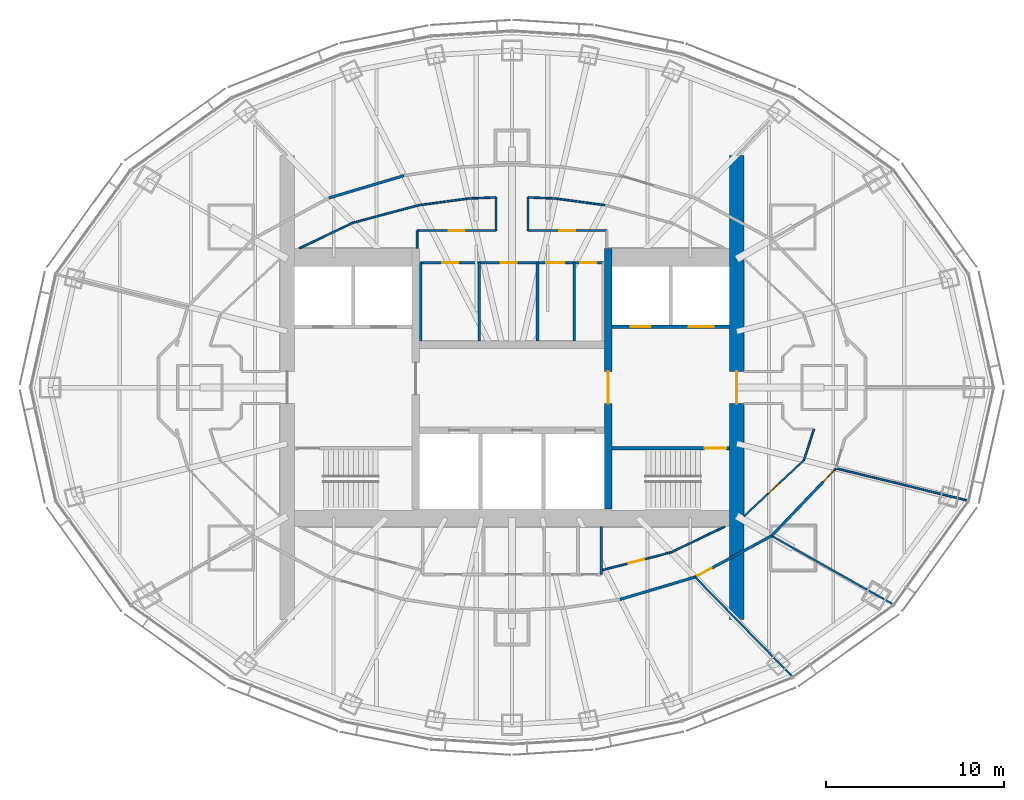
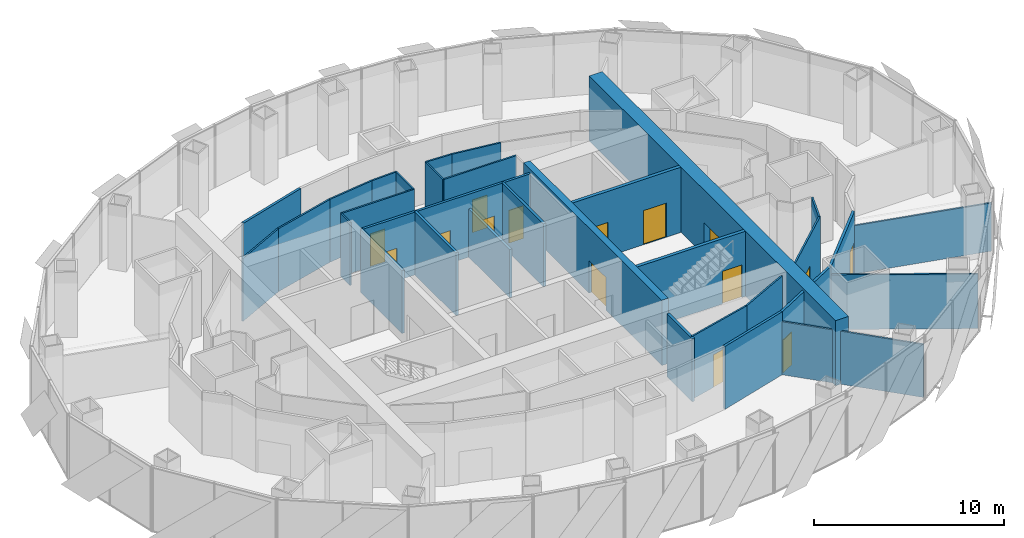
# One storey, part 13 of 17: 32 walls, 15 doors, 15 openings.
"""IFC4 building model written with IfcOpenShell, lengths in metres."""

from ifc_helpers import new_model, si_unit, direction, frame, frame_2d, origin, place, context, subcontext, project, spatial, rectangle, extrude, material, layer, layer_set, type_object, element, fill, save


model = new_model("IFC4")

# Units and contexts
model_context = context("Model", 3, precision=1e-05, world=origin(), true_north=direction((0.0, 1.0)))
body_context = subcontext(model_context, "Body", "Model", "MODEL_VIEW")
ifc_project = project(units=[si_unit("LENGTHUNIT", "METRE"), si_unit("AREAUNIT", "SQUARE_METRE"), si_unit("VOLUMEUNIT", "CUBIC_METRE"), si_unit("PLANEANGLEUNIT", "RADIAN"), si_unit("MASSUNIT", "GRAM", prefix="KILO")], contexts=[model_context])

# Site, building, storey
site_placement = place(None, origin())
site = spatial("IfcSite", under=ifc_project, at=site_placement, CompositionType="ELEMENT")
building_placement = place(site_placement, origin())
building = spatial("IfcBuilding", under=site, at=building_placement, Name="Lantaw Convention Tower", CompositionType="ELEMENT")
storey_placement = place(building_placement, frame((0.0, 0.0, 207.39990234375)))
storey = spatial("IfcBuildingStorey", under=building, at=storey_placement, Name="L48", CompositionType="ELEMENT", Elevation=207.39990234375)

# Wall, opening, door
ifc_material_1 = material(Name="Concrete C60/75", Category="concrete")
ifc_layer_1 = layer(ifc_material_1, 0.199951171875)
ifc_layer_set_1 = layer_set([ifc_layer_1], Name="Core wall 200")
wall_type_1 = type_object("IfcWallType", Name="Core wall 200", PredefinedType="SHEAR", material=ifc_layer_set_1)
wall_1_placement = place(storey_placement, frame((5.60009765625, -3.39990234375, 0.0), z_axis=(0.0, 0.0, 1.0), x_axis=(1.0, 0.0, 0.0)))
wall_1 = element("IfcWall", 1, at=wall_1_placement, inside=storey, type_object=wall_type_1, Name="Core wall ES", PredefinedType="SHEAR", context=body_context, shape_type="SweptSolid", body=[
    extrude(rectangle(XDim=6.599853515625, YDim=0.199951171875, at=frame_2d((3.2998046875, 0.0))), origin(), (0.0, 0.0, 1.0), 4.2001953125),
])
opening_1_placement = place(wall_1_placement, frame((5.199951171875, 0.0, 0.0)))
opening_1 = element("IfcOpeningElement", 2, at=opening_1_placement, cuts=wall_1, Name="Opening L48.03", PredefinedType="OPENING", context=body_context, shape_type="SweptSolid", body=[
    extrude(rectangle(XDim=1.199951171875, YDim=2.10009765625, at=frame_2d((0.60009765625, 1.050048828125))), frame((0.0, 0.10986328125, 0.0), z_axis=(0.0, -1.0, 0.0), x_axis=(1.0, 0.0, 0.0)), (0.0, 0.0, 1.0), 0.219970703125),
])
ifc_material_2 = material(Name="Steel, fire rated", Category="steel")
door_type_1 = type_object("IfcDoorType", Name="Stair door FD90", OperationType="SINGLE_SWING_RIGHT", PredefinedType="DOOR", material=ifc_material_2)
door_1_placement = place(opening_1_placement, origin())
door_1 = element("IfcDoor", 3, at=door_1_placement, inside=storey, type_object=door_type_1, Name="Exit stair door", OperationType="SINGLE_SWING_RIGHT", OverallHeight=2.10009765625, OverallWidth=1.199951171875, PredefinedType="DOOR", context=body_context, shape_type="SweptSolid", body=[
    extrude(rectangle(XDim=1.199951171875, YDim=2.10009765625, at=frame_2d((0.60009765625, 1.050048828125))), frame((0.0, 0.02490234375, 0.0), z_axis=(0.0, -1.0, 0.0), x_axis=(1.0, 0.0, 0.0)), (0.0, 0.0, 1.0), 0.050048828125),
])
fill(opening_1, door_1)

ifc_layer_2 = layer(ifc_material_1, 0.39990234375)
ifc_layer_set_2 = layer_set([ifc_layer_2], Name="Core wall 400")
wall_type_2 = type_object("IfcWallType", Name="Core wall 400", PredefinedType="SHEAR", material=ifc_layer_set_2)
wall_2_placement = place(storey_placement, frame((5.39990234375, -6.800048828125, 0.0), z_axis=(0.0, 0.0, 1.0), x_axis=(0.0, 1.0, 0.0)))
wall_2 = element("IfcWall", 4, at=wall_2_placement, inside=storey, type_object=wall_type_2, Name="Core wall XE", PredefinedType="SHEAR", context=body_context, shape_type="SweptSolid", body=[
    extrude(rectangle(XDim=14.60009765625, YDim=0.39990234375, at=frame_2d((7.300048828125, 0.0))), origin(), (0.0, 0.0, 1.0), 4.2001953125),
])
opening_2_placement = place(wall_2_placement, frame((5.89990234375, 0.0, 0.0)))
opening_2 = element("IfcOpeningElement", 5, at=opening_2_placement, cuts=wall_2, Name="Opening L48.01", PredefinedType="OPENING", context=body_context, shape_type="SweptSolid", body=[
    extrude(rectangle(XDim=1.800048828125, YDim=2.10009765625, at=frame_2d((0.89990234375, 1.050048828125))), frame((0.0, 0.2099609375, 0.0), z_axis=(0.0, -1.0, 0.0), x_axis=(1.0, 0.0, 0.0)), (0.0, 0.0, 1.0), 0.419921875),
])
door_type_2 = type_object("IfcDoorType", Name="Lobby double door FD90", OperationType="DOUBLE_DOOR_DOUBLE_SWING", PredefinedType="DOOR", material=ifc_material_2)
door_2_placement = place(opening_2_placement, origin())
door_2 = element("IfcDoor", 6, at=door_2_placement, inside=storey, type_object=door_type_2, Name="Lift lobby door", OperationType="DOUBLE_DOOR_DOUBLE_SWING", OverallHeight=2.10009765625, OverallWidth=1.800048828125, PredefinedType="DOOR", context=body_context, shape_type="SweptSolid", body=[
    extrude(rectangle(XDim=1.800048828125, YDim=2.10009765625, at=frame_2d((0.89990234375, 1.050048828125))), frame((0.0, 0.02490234375, 0.0), z_axis=(0.0, -1.0, 0.0), x_axis=(1.0, 0.0, 0.0)), (0.0, 0.0, 1.0), 0.050048828125),
])
fill(opening_2, door_2)

ifc_layer_3 = layer(ifc_material_1, 0.800048828125)
ifc_layer_set_3 = layer_set([ifc_layer_3], Name="Core wall 800")
wall_type_3 = type_object("IfcWallType", Name="Core wall 800", PredefinedType="SHEAR", material=ifc_layer_set_3)
wall_3_placement = place(storey_placement, frame((12.60009765625, -13.0, 0.0), z_axis=(0.0, 0.0, 1.0), x_axis=(0.0, 1.0, 0.0)))
wall_3 = element("IfcWall", 7, at=wall_3_placement, inside=storey, type_object=wall_type_3, Name="Core wall E", PredefinedType="SHEAR", context=body_context, shape_type="SweptSolid", body=[
    extrude(rectangle(XDim=26.0, YDim=0.800048828125, at=frame_2d((13.0, 0.0))), origin(), (0.0, 0.0, 1.0), 4.2001953125),
])
opening_3_placement = place(wall_3_placement, frame((12.10009765625, 0.0, 0.0)))
opening_3 = element("IfcOpeningElement", 8, at=opening_3_placement, cuts=wall_3, Name="Opening L48.05", PredefinedType="OPENING", context=body_context, shape_type="SweptSolid", body=[
    extrude(rectangle(XDim=1.800048828125, YDim=2.10009765625, at=frame_2d((0.89990234375, 1.050048828125))), frame((0.0, 0.409912109375, 0.0), z_axis=(0.0, -1.0, 0.0), x_axis=(1.0, 0.0, 0.0)), (0.0, 0.0, 1.0), 0.820068359375),
])
door_3_placement = place(opening_3_placement, origin())
door_3 = element("IfcDoor", 9, at=door_3_placement, inside=storey, type_object=door_type_2, Name="Firefighting lobby door", OperationType="DOUBLE_DOOR_DOUBLE_SWING", OverallHeight=2.10009765625, OverallWidth=1.800048828125, PredefinedType="DOOR", context=body_context, shape_type="SweptSolid", body=[
    extrude(rectangle(XDim=1.800048828125, YDim=2.10009765625, at=frame_2d((0.89990234375, 1.050048828125))), frame((0.0, 0.02490234375, 0.0), z_axis=(0.0, -1.0, 0.0), x_axis=(1.0, 0.0, 0.0)), (0.0, 0.0, 1.0), 0.050048828125),
])
fill(opening_3, door_3)

# Walls
ifc_material_3 = material(Name="Gypsum board on steel studs, fire rated", Category="steel")
ifc_layer_4 = layer(ifc_material_3, 0.14990234375)
ifc_layer_set_4 = layer_set([ifc_layer_4], Name="Corridor wall 150 EI 60")
wall_type_4 = type_object("IfcWallType", Name="Corridor wall 150 EI 60", PredefinedType="PARTITIONING", material=ifc_layer_set_4)
for number, where, z_axis, x_axis, name in (
    (10, (-6.05419921875, 11.88232421875, 0.0), (0.0, 0.0, 1.0), (-0.958384389306, -0.285480931648, 0.0), "Corridor wall 150"),
    (11, (6.05419921875, -11.88232421875, 0.0), (0.0, 0.0, 1.0), (0.958384389306, 0.285480931648, 0.0), "Corridor wall 150"),
):
    element("IfcWall", number, at=place(storey_placement, frame(where, z_axis=z_axis, x_axis=x_axis)), inside=storey, type_object=wall_type_4, Name=name, PredefinedType="PARTITIONING", context=body_context, shape_type="SweptSolid", body=[
        extrude(rectangle(XDim=4.392333984375, YDim=0.14990234375, at=frame_2d((2.1962890625, 0.0))), origin(), (0.0, 0.0, 1.0), 4.050048828125),
    ])

# Wall, opening, door
wall_4_placement = place(storey_placement, frame((10.263671875, -10.62841796875, 0.0), z_axis=(0.0, 0.0, 1.0), x_axis=(0.88053863253, 0.47397438393, 0.0)))
wall_4 = element("IfcWall", 12, at=wall_4_placement, inside=storey, type_object=wall_type_4, Name="Corridor wall 150", PredefinedType="PARTITIONING", context=body_context, shape_type="SweptSolid", body=[
    extrude(rectangle(XDim=4.874755859375, YDim=0.14990234375, at=frame_2d((2.4375, 0.0))), origin(), (0.0, 0.0, 1.0), 4.050048828125),
])
opening_4_placement = place(wall_4_placement, frame((0.14990234375, 0.0, 0.0)))
opening_4 = element("IfcOpeningElement", 13, at=opening_4_placement, cuts=wall_4, Name="Opening L48.34", PredefinedType="OPENING", context=body_context, shape_type="SweptSolid", body=[
    extrude(rectangle(XDim=0.89990234375, YDim=2.10009765625, at=frame_2d((0.449951171875, 1.050048828125))), frame((0.0, 0.0849609375, 0.0), z_axis=(0.0, -1.0, 0.0), x_axis=(1.0, 0.0, 0.0)), (0.0, 0.0, 1.0), 0.169921875),
])
door_type_3 = type_object("IfcDoorType", Name="Office door 900 FD30", OperationType="SINGLE_SWING_LEFT", PredefinedType="DOOR", material=ifc_material_2)
door_4_placement = place(opening_4_placement, origin())
door_4 = element("IfcDoor", 14, at=door_4_placement, inside=storey, type_object=door_type_3, Name="Pantry door", OperationType="SINGLE_SWING_LEFT", OverallHeight=2.10009765625, OverallWidth=0.89990234375, PredefinedType="DOOR", context=body_context, shape_type="SweptSolid", body=[
    extrude(rectangle(XDim=0.89990234375, YDim=2.10009765625, at=frame_2d((0.449951171875, 1.050048828125))), frame((0.0, 0.02490234375, 0.0), z_axis=(0.0, -1.0, 0.0), x_axis=(1.0, 0.0, 0.0)), (0.0, 0.0, 1.0), 0.050048828125),
])
fill(opening_4, door_4)

wall_5_placement = place(storey_placement, frame((14.55615234375, -8.31787109375, 0.0), z_axis=(0.0, 0.0, 1.0), x_axis=(0.690768413292, 0.723076067366, 0.0)))
wall_5 = element("IfcWall", 15, at=wall_5_placement, inside=storey, type_object=wall_type_4, Name="Corridor wall 150", PredefinedType="PARTITIONING", context=body_context, shape_type="SweptSolid", body=[
    extrude(rectangle(XDim=5.23681640625, YDim=0.14990234375, at=frame_2d((2.618408203125, 0.0))), origin(), (0.0, 0.0, 1.0), 4.050048828125),
])
opening_5_placement = place(wall_5_placement, frame((4.18701171875, 0.0, 0.0)))
opening_5 = element("IfcOpeningElement", 16, at=opening_5_placement, cuts=wall_5, Name="Opening L48.35", PredefinedType="OPENING", context=body_context, shape_type="SweptSolid", body=[
    extrude(rectangle(XDim=0.89990234375, YDim=2.10009765625, at=frame_2d((0.449951171875, 1.050048828125))), frame((0.0, 0.0849609375, 0.0), z_axis=(0.0, -1.0, 0.0), x_axis=(1.0, 0.0, 0.0)), (0.0, 0.0, 1.0), 0.169921875),
])
door_5_placement = place(opening_5_placement, origin())
door_5 = element("IfcDoor", 17, at=door_5_placement, inside=storey, type_object=door_type_3, Name="Meeting room door", OperationType="SINGLE_SWING_LEFT", OverallHeight=2.10009765625, OverallWidth=0.89990234375, PredefinedType="DOOR", context=body_context, shape_type="SweptSolid", body=[
    extrude(rectangle(XDim=0.89990234375, YDim=2.10009765625, at=frame_2d((0.449951171875, 1.050048828125))), frame((0.0, 0.02490234375, 0.0), z_axis=(0.0, -1.0, 0.0), x_axis=(1.0, 0.0, 0.0)), (0.0, 0.0, 1.0), 0.050048828125),
])
fill(opening_5, door_5)

# Walls
ifc_material_4 = material(Name="Gypsum board on steel studs, acoustic", Category="steel")
ifc_layer_5 = layer(ifc_material_4, 0.10009765625)
ifc_layer_set_5 = layer_set([ifc_layer_5], Name="Office partition 100")
wall_type_5 = type_object("IfcWallType", Name="Office partition 100", PredefinedType="PARTITIONING", material=ifc_layer_set_5)
wall_6_placement = place(storey_placement, frame((15.709228515625, -16.19873046875, 0.0), z_axis=(0.0, 0.0, 1.0), x_axis=(-0.699053895446, 0.715068983569, 0.0)))
element("IfcWall", 18, at=wall_6_placement, inside=storey, type_object=wall_type_5, Name="Office partition 100", PredefinedType="PARTITIONING", context=body_context, shape_type="SweptSolid", body=[
    extrude(rectangle(XDim=7.789794921875, YDim=0.10009765625, at=frame_2d((3.89501953125, 0.0))), origin(), (0.0, 0.0, 1.0), 3.409912109375),
])
wall_7_placement = place(storey_placement, frame((21.3583984375, -12.149658203125, 0.0), z_axis=(0.0, 0.0, 1.0), x_axis=(-0.871273053995, 0.490798599614, 0.0)))
element("IfcWall", 19, at=wall_7_placement, inside=storey, type_object=wall_type_5, Name="Office partition 100", PredefinedType="PARTITIONING", context=body_context, shape_type="SweptSolid", body=[
    extrude(rectangle(XDim=7.80712890625, YDim=0.10009765625, at=frame_2d((3.903564453125, 0.0))), origin(), (0.0, 0.0, 1.0), 3.521728515625),
])
wall_8_placement = place(storey_placement, frame((25.542724609375, -6.335693359375, 0.0), z_axis=(0.0, 0.0, 1.0), x_axis=(-0.97130474594, 0.237838370569, 0.0)))
element("IfcWall", 20, at=wall_8_placement, inside=storey, type_object=wall_type_5, Name="Office partition 100", PredefinedType="PARTITIONING", context=body_context, shape_type="SweptSolid", body=[
    extrude(rectangle(XDim=7.5869140625, YDim=0.10009765625, at=frame_2d((3.79345703125, 0.0))), origin(), (0.0, 0.0, 1.0), 3.107666015625),
])
wall_9_placement = place(storey_placement, frame((11.925537109375, -7.800048828125, 0.0), z_axis=(0.0, 0.0, 1.0), x_axis=(-0.901553947207, -0.432666708073, 0.0)))
element("IfcWall", 21, at=wall_9_placement, inside=storey, type_object=wall_type_5, Name="Office partition 100", PredefinedType="PARTITIONING", context=body_context, shape_type="SweptSolid", body=[
    extrude(rectangle(XDim=3.329833984375, YDim=0.10009765625, at=frame_2d((1.6650390625, 0.0))), origin(), (0.0, 0.0, 1.0), 4.050048828125),
])

# Wall, opening, door
wall_10_placement = place(storey_placement, frame((8.923583984375, -9.24072265625, 0.0), z_axis=(0.0, 0.0, 1.0), x_axis=(-0.968224167198, -0.250083910027, 0.0)))
wall_10 = element("IfcWall", 22, at=wall_10_placement, inside=storey, type_object=wall_type_5, Name="Office partition 100", PredefinedType="PARTITIONING", context=body_context, shape_type="SweptSolid", body=[
    extrude(rectangle(XDim=4.05224609375, YDim=0.10009765625, at=frame_2d((2.026123046875, 0.0))), origin(), (0.0, 0.0, 1.0), 4.050048828125),
])
opening_6_placement = place(wall_10_placement, frame((1.576171875, 0.0, 0.0)))
opening_6 = element("IfcOpeningElement", 23, at=opening_6_placement, cuts=wall_10, Name="Opening L48.24", PredefinedType="OPENING", context=body_context, shape_type="SweptSolid", body=[
    extrude(rectangle(XDim=0.89990234375, YDim=2.10009765625, at=frame_2d((0.449951171875, 1.050048828125))), frame((0.0, 0.06005859375, 0.0), z_axis=(0.0, -1.0, 0.0), x_axis=(1.0, 0.0, 0.0)), (0.0, 0.0, 1.0), 0.1201171875),
])
ifc_material_5 = material(Name="Timber", Category="wood")
door_type_4 = type_object("IfcDoorType", Name="Office door 900", OperationType="SINGLE_SWING_LEFT", PredefinedType="DOOR", material=ifc_material_5)
door_6_placement = place(opening_6_placement, origin())
door_6 = element("IfcDoor", 24, at=door_6_placement, inside=storey, type_object=door_type_4, Name="Tenant storage room door", OperationType="SINGLE_SWING_LEFT", OverallHeight=2.10009765625, OverallWidth=0.89990234375, PredefinedType="DOOR", context=body_context, shape_type="SweptSolid", body=[
    extrude(rectangle(XDim=0.89990234375, YDim=2.10009765625, at=frame_2d((0.449951171875, 1.050048828125))), frame((0.0, 0.02490234375, 0.0), z_axis=(0.0, -1.0, 0.0), x_axis=(1.0, 0.0, 0.0)), (0.0, 0.0, 1.0), 0.050048828125),
])
fill(opening_6, door_6)

wall_11_placement = place(storey_placement, frame((16.36279296875, -4.079833984375, 0.0), z_axis=(0.0, 0.0, 1.0), x_axis=(-0.730651186567, -0.682750938167, 0.0)))
wall_11 = element("IfcWall", 25, at=wall_11_placement, inside=storey, type_object=wall_type_5, Name="Office partition 100", PredefinedType="PARTITIONING", context=body_context, shape_type="SweptSolid", body=[
    extrude(rectangle(XDim=4.6025390625, YDim=0.10009765625, at=frame_2d((2.30126953125, 0.0))), origin(), (0.0, 0.0, 1.0), 4.050048828125),
])
opening_7_placement = place(wall_11_placement, frame((1.851318359375, 0.0, 0.0)))
opening_7 = element("IfcOpeningElement", 26, at=opening_7_placement, cuts=wall_11, Name="Opening L48.25", PredefinedType="OPENING", context=body_context, shape_type="SweptSolid", body=[
    extrude(rectangle(XDim=0.89990234375, YDim=2.10009765625, at=frame_2d((0.449951171875, 1.050048828125))), frame((0.0, 0.06005859375, 0.0), z_axis=(0.0, -1.0, 0.0), x_axis=(1.0, 0.0, 0.0)), (0.0, 0.0, 1.0), 0.1201171875),
])
door_7_placement = place(opening_7_placement, origin())
door_7 = element("IfcDoor", 27, at=door_7_placement, inside=storey, type_object=door_type_4, Name="Meeting room door", OperationType="SINGLE_SWING_LEFT", OverallHeight=2.10009765625, OverallWidth=0.89990234375, PredefinedType="DOOR", context=body_context, shape_type="SweptSolid", body=[
    extrude(rectangle(XDim=0.89990234375, YDim=2.10009765625, at=frame_2d((0.449951171875, 1.050048828125))), frame((0.0, 0.02490234375, 0.0), z_axis=(0.0, -1.0, 0.0), x_axis=(1.0, 0.0, 0.0)), (0.0, 0.0, 1.0), 0.050048828125),
])
fill(opening_7, door_7)

wall_12_placement = place(storey_placement, frame((5.320068359375, 8.800048828125, 0.0), z_axis=(0.0, 0.0, 1.0), x_axis=(-1.0, 0.0, 0.0)))
wall_12 = element("IfcWall", 28, at=wall_12_placement, inside=storey, type_object=wall_type_5, Name="Office partition 100", PredefinedType="PARTITIONING", context=body_context, shape_type="SweptSolid", body=[
    extrude(rectangle(XDim=4.420166015625, YDim=0.10009765625, at=frame_2d((2.2099609375, 0.0))), origin(), (0.0, 0.0, 1.0), 4.050048828125),
])
opening_8_placement = place(wall_12_placement, frame((1.760009765625, 0.0, 0.0)))
opening_8 = element("IfcOpeningElement", 29, at=opening_8_placement, cuts=wall_12, Name="Opening L48.27", PredefinedType="OPENING", context=body_context, shape_type="SweptSolid", body=[
    extrude(rectangle(XDim=0.89990234375, YDim=2.10009765625, at=frame_2d((0.449951171875, 1.050048828125))), frame((0.0, 0.06005859375, 0.0), z_axis=(0.0, -1.0, 0.0), x_axis=(1.0, 0.0, 0.0)), (0.0, 0.0, 1.0), 0.1201171875),
])
door_8_placement = place(opening_8_placement, origin())
door_8 = element("IfcDoor", 30, at=door_8_placement, inside=storey, type_object=door_type_4, Name="Project room door", OperationType="SINGLE_SWING_LEFT", OverallHeight=2.10009765625, OverallWidth=0.89990234375, PredefinedType="DOOR", context=body_context, shape_type="SweptSolid", body=[
    extrude(rectangle(XDim=0.89990234375, YDim=2.10009765625, at=frame_2d((0.449951171875, 1.050048828125))), frame((0.0, 0.02490234375, 0.0), z_axis=(0.0, -1.0, 0.0), x_axis=(1.0, 0.0, 0.0)), (0.0, 0.0, 1.0), 0.050048828125),
])
fill(opening_8, door_8)

# Walls
wall_13_placement = place(storey_placement, frame((0.89990234375, 8.800048828125, 0.0), z_axis=(0.0, 0.0, 1.0), x_axis=(0.0, 1.0, 0.0)))
element("IfcWall", 31, at=wall_13_placement, inside=storey, type_object=wall_type_5, Name="Office partition 100", PredefinedType="PARTITIONING", context=body_context, shape_type="SweptSolid", body=[
    extrude(rectangle(XDim=1.862060546875, YDim=0.10009765625, at=frame_2d((0.93115234375, 0.0))), origin(), (0.0, 0.0, 1.0), 4.050048828125),
])
wall_14_placement = place(storey_placement, frame((0.89990234375, 10.662109375, 0.0), z_axis=(0.0, 0.0, 1.0), x_axis=(0.999119627976, -0.041951984379, 0.0)))
element("IfcWall", 32, at=wall_14_placement, inside=storey, type_object=wall_type_5, Name="Office partition 100", PredefinedType="PARTITIONING", context=body_context, shape_type="SweptSolid", body=[
    extrude(rectangle(XDim=1.548095703125, YDim=0.10009765625, at=frame_2d((0.77392578125, 0.0))), origin(), (0.0, 0.0, 1.0), 4.050048828125),
])
wall_15_placement = place(storey_placement, frame((2.446533203125, 10.59716796875, 0.0), z_axis=(0.0, 0.0, 1.0), x_axis=(0.991095131259, -0.13315570132, 0.0)))
element("IfcWall", 33, at=wall_15_placement, inside=storey, type_object=wall_type_5, Name="Office partition 100", PredefinedType="PARTITIONING", context=body_context, shape_type="SweptSolid", body=[
    extrude(rectangle(XDim=2.788818359375, YDim=0.10009765625, at=frame_2d((1.39453125, 0.0))), origin(), (0.0, 0.0, 1.0), 4.050048828125),
])
wall_16_placement = place(storey_placement, frame((-11.925537109375, 7.800048828125, 0.0), z_axis=(0.0, 0.0, 1.0), x_axis=(0.901553947207, 0.432666708073, 0.0)))
element("IfcWall", 34, at=wall_16_placement, inside=storey, type_object=wall_type_5, Name="Office partition 100", PredefinedType="PARTITIONING", context=body_context, shape_type="SweptSolid", body=[
    extrude(rectangle(XDim=3.329833984375, YDim=0.10009765625, at=frame_2d((1.6650390625, 0.0))), origin(), (0.0, 0.0, 1.0), 4.050048828125),
])
wall_17_placement = place(storey_placement, frame((-8.923583984375, 9.24072265625, 0.0), z_axis=(0.0, 0.0, 1.0), x_axis=(0.966562200797, 0.256432275641, 0.0)))
element("IfcWall", 35, at=wall_17_placement, inside=storey, type_object=wall_type_5, Name="Office partition 100", PredefinedType="PARTITIONING", context=body_context, shape_type="SweptSolid", body=[
    extrude(rectangle(XDim=3.841552734375, YDim=0.10009765625, at=frame_2d((1.9208984375, 0.0))), origin(), (0.0, 0.0, 1.0), 4.050048828125),
])
wall_18_placement = place(storey_placement, frame((-5.21044921875, 10.225830078125, 0.0), z_axis=(0.0, 0.0, 1.0), x_axis=(0.991095131259, 0.13315570132, 0.0)))
element("IfcWall", 36, at=wall_18_placement, inside=storey, type_object=wall_type_5, Name="Office partition 100", PredefinedType="PARTITIONING", context=body_context, shape_type="SweptSolid", body=[
    extrude(rectangle(XDim=2.788818359375, YDim=0.10009765625, at=frame_2d((1.39453125, 0.0))), origin(), (0.0, 0.0, 1.0), 4.050048828125),
])
wall_19_placement = place(storey_placement, frame((-2.446533203125, 10.59716796875, 0.0), z_axis=(0.0, 0.0, 1.0), x_axis=(0.999119627976, 0.041951984379, 0.0)))
element("IfcWall", 37, at=wall_19_placement, inside=storey, type_object=wall_type_5, Name="Office partition 100", PredefinedType="PARTITIONING", context=body_context, shape_type="SweptSolid", body=[
    extrude(rectangle(XDim=1.548095703125, YDim=0.10009765625, at=frame_2d((0.77392578125, 0.0))), origin(), (0.0, 0.0, 1.0), 4.050048828125),
])
wall_20_placement = place(storey_placement, frame((-0.89990234375, 10.662109375, 0.0), z_axis=(0.0, 0.0, 1.0), x_axis=(0.0, -1.0, 0.0)))
element("IfcWall", 38, at=wall_20_placement, inside=storey, type_object=wall_type_5, Name="Office partition 100", PredefinedType="PARTITIONING", context=body_context, shape_type="SweptSolid", body=[
    extrude(rectangle(XDim=1.862060546875, YDim=0.10009765625, at=frame_2d((0.93115234375, 0.0))), origin(), (0.0, 0.0, 1.0), 4.050048828125),
])

# Wall, opening, door
wall_21_placement = place(storey_placement, frame((-0.89990234375, 8.800048828125, 0.0), z_axis=(0.0, 0.0, 1.0), x_axis=(-1.0, 0.0, 0.0)))
wall_21 = element("IfcWall", 39, at=wall_21_placement, inside=storey, type_object=wall_type_5, Name="Office partition 100", PredefinedType="PARTITIONING", context=body_context, shape_type="SweptSolid", body=[
    extrude(rectangle(XDim=4.420166015625, YDim=0.10009765625, at=frame_2d((2.2099609375, 0.0))), origin(), (0.0, 0.0, 1.0), 4.050048828125),
])
opening_9_placement = place(wall_21_placement, frame((1.760009765625, 0.0, 0.0)))
opening_9 = element("IfcOpeningElement", 40, at=opening_9_placement, cuts=wall_21, Name="Opening L48.28", PredefinedType="OPENING", context=body_context, shape_type="SweptSolid", body=[
    extrude(rectangle(XDim=0.89990234375, YDim=2.10009765625, at=frame_2d((0.449951171875, 1.050048828125))), frame((0.0, 0.06005859375, 0.0), z_axis=(0.0, -1.0, 0.0), x_axis=(1.0, 0.0, 0.0)), (0.0, 0.0, 1.0), 0.1201171875),
])
door_9_placement = place(opening_9_placement, origin())
door_9 = element("IfcDoor", 41, at=door_9_placement, inside=storey, type_object=door_type_4, Name="Meeting room door", OperationType="SINGLE_SWING_LEFT", OverallHeight=2.10009765625, OverallWidth=0.89990234375, PredefinedType="DOOR", context=body_context, shape_type="SweptSolid", body=[
    extrude(rectangle(XDim=0.89990234375, YDim=2.10009765625, at=frame_2d((0.449951171875, 1.050048828125))), frame((0.0, 0.02490234375, 0.0), z_axis=(0.0, -1.0, 0.0), x_axis=(1.0, 0.0, 0.0)), (0.0, 0.0, 1.0), 0.050048828125),
])
fill(opening_9, door_9)

# Walls
wall_22_placement = place(storey_placement, frame((-5.320068359375, 8.800048828125, 0.0), z_axis=(0.0, 0.0, 1.0), x_axis=(0.0, -1.0, 0.0)))
element("IfcWall", 42, at=wall_22_placement, inside=storey, type_object=wall_type_5, Name="Office partition 100", PredefinedType="PARTITIONING", context=body_context, shape_type="SweptSolid", body=[
    extrude(rectangle(XDim=1.0, YDim=0.10009765625, at=frame_2d((0.5, 0.0))), origin(), (0.0, 0.0, 1.0), 4.050048828125),
])
wall_23_placement = place(storey_placement, frame((16.934814453125, -2.3349609375, 0.0), z_axis=(0.0, 0.0, 1.0), x_axis=(-0.311517212063, -0.950240509865, 0.0)))
element("IfcWall", 43, at=wall_23_placement, inside=storey, type_object=wall_type_5, Name="Office partition 100", PredefinedType="PARTITIONING", context=body_context, shape_type="SweptSolid", body=[
    extrude(rectangle(XDim=1.836181640625, YDim=0.10009765625, at=frame_2d((0.91796875, 0.0))), origin(), (0.0, 0.0, 1.0), 4.050048828125),
])

# Wall, openings, doors
ifc_material_6 = material(Name="Concrete blockwork, fire rated", Category="masonry")
ifc_layer_6 = layer(ifc_material_6, 0.199951171875)
ifc_layer_set_6 = layer_set([ifc_layer_6], Name="Shaft wall 200")
wall_type_6 = type_object("IfcWallType", Name="Shaft wall 200", PredefinedType="SOLIDWALL", material=ifc_layer_set_6)
wall_24_placement = place(storey_placement, frame((12.199951171875, 3.39990234375, 0.0), z_axis=(0.0, 0.0, 1.0), x_axis=(-1.0, 0.0, 0.0)))
wall_24 = element("IfcWall", 44, at=wall_24_placement, inside=storey, type_object=wall_type_6, Name="Shaft wall EN", PredefinedType="SOLIDWALL", context=body_context, shape_type="SweptSolid", body=[
    extrude(rectangle(XDim=6.599853515625, YDim=0.199951171875, at=frame_2d((3.2998046875, 0.0))), origin(), (0.0, 0.0, 1.0), 4.2001953125),
])
opening_10_placement = place(wall_24_placement, frame((4.449951171875, 0.0, 0.0)))
opening_10 = element("IfcOpeningElement", 45, at=opening_10_placement, cuts=wall_24, Name="Opening L48.12", PredefinedType="OPENING", context=body_context, shape_type="SweptSolid", body=[
    extrude(rectangle(XDim=1.10009765625, YDim=2.199951171875, at=frame_2d((0.550048828125, 1.10009765625))), frame((0.0, 0.10986328125, 0.0), z_axis=(0.0, -1.0, 0.0), x_axis=(1.0, 0.0, 0.0)), (0.0, 0.0, 1.0), 0.219970703125),
])
opening_11_placement = place(wall_24_placement, frame((0.89990234375, 0.0, 0.0)))
opening_11 = element("IfcOpeningElement", 46, at=opening_11_placement, cuts=wall_24, Name="Opening L48.13", PredefinedType="OPENING", context=body_context, shape_type="SweptSolid", body=[
    extrude(rectangle(XDim=1.39990234375, YDim=2.199951171875, at=frame_2d((0.699951171875, 1.10009765625))), frame((0.0, 0.10986328125, 0.0), z_axis=(0.0, -1.0, 0.0), x_axis=(1.0, 0.0, 0.0)), (0.0, 0.0, 1.0), 0.219970703125),
])
ifc_material_7 = material(Name="Stainless steel", Category="steel")
door_type_5 = type_object("IfcDoorType", Name="Lift landing door 1100", OperationType="DOUBLE_DOOR_SLIDING", PredefinedType="DOOR", material=ifc_material_7)
door_10_placement = place(opening_10_placement, origin())
door_10 = element("IfcDoor", 47, at=door_10_placement, inside=storey, type_object=door_type_5, Name="Lift landing door FF2", OperationType="DOUBLE_DOOR_SLIDING", OverallHeight=2.199951171875, OverallWidth=1.10009765625, PredefinedType="DOOR", context=body_context, shape_type="SweptSolid", body=[
    extrude(rectangle(XDim=1.10009765625, YDim=2.199951171875, at=frame_2d((0.550048828125, 1.10009765625))), frame((0.0, 0.02490234375, 0.0), z_axis=(0.0, -1.0, 0.0), x_axis=(1.0, 0.0, 0.0)), (0.0, 0.0, 1.0), 0.050048828125),
])
fill(opening_10, door_10)
door_type_6 = type_object("IfcDoorType", Name="Lift landing door 1400", OperationType="DOUBLE_DOOR_SLIDING", PredefinedType="DOOR", material=ifc_material_7)
door_11_placement = place(opening_11_placement, origin())
door_11 = element("IfcDoor", 48, at=door_11_placement, inside=storey, type_object=door_type_6, Name="Lift landing door SV2", OperationType="DOUBLE_DOOR_SLIDING", OverallHeight=2.199951171875, OverallWidth=1.39990234375, PredefinedType="DOOR", context=body_context, shape_type="SweptSolid", body=[
    extrude(rectangle(XDim=1.39990234375, YDim=2.199951171875, at=frame_2d((0.699951171875, 1.10009765625))), frame((0.0, 0.02490234375, 0.0), z_axis=(0.0, -1.0, 0.0), x_axis=(1.0, 0.0, 0.0)), (0.0, 0.0, 1.0), 0.050048828125),
])
fill(opening_11, door_11)

ifc_material_8 = material(Name="Concrete blockwork", Category="masonry")
ifc_layer_7 = layer(ifc_material_8, 0.14990234375)
ifc_layer_set_7 = layer_set([ifc_layer_7], Name="WC wall 150")
wall_type_7 = type_object("IfcWallType", Name="WC wall 150", PredefinedType="SOLIDWALL", material=ifc_layer_set_7)
wall_25_placement = place(storey_placement, frame((-5.1201171875, 7.0, 0.0), z_axis=(0.0, 0.0, 1.0), x_axis=(1.0, 0.0, 0.0)))
wall_25 = element("IfcWall", 49, at=wall_25_placement, inside=storey, type_object=wall_type_7, Name="WC wall 150", PredefinedType="SOLIDWALL", context=body_context, shape_type="SweptSolid", body=[
    extrude(rectangle(XDim=10.240234375, YDim=0.14990234375, at=frame_2d((5.1201171875, 0.0))), origin(), (0.0, 0.0, 1.0), 4.050048828125),
])
opening_12_placement = place(wall_25_placement, frame((1.199951171875, 0.0, 0.0)))
opening_12 = element("IfcOpeningElement", 50, at=opening_12_placement, cuts=wall_25, Name="Opening L48.14", PredefinedType="OPENING", context=body_context, shape_type="SweptSolid", body=[
    extrude(rectangle(XDim=0.89990234375, YDim=2.10009765625, at=frame_2d((0.449951171875, 1.050048828125))), frame((0.0, 0.0849609375, 0.0), z_axis=(0.0, -1.0, 0.0), x_axis=(1.0, 0.0, 0.0)), (0.0, 0.0, 1.0), 0.169921875),
])
opening_13_placement = place(wall_25_placement, frame((4.476806640625, 0.0, 0.0)))
opening_13 = element("IfcOpeningElement", 51, at=opening_13_placement, cuts=wall_25, Name="Opening L48.15", PredefinedType="OPENING", context=body_context, shape_type="SweptSolid", body=[
    extrude(rectangle(XDim=0.89990234375, YDim=2.10009765625, at=frame_2d((0.449951171875, 1.050048828125))), frame((0.0, 0.0849609375, 0.0), z_axis=(0.0, -1.0, 0.0), x_axis=(1.0, 0.0, 0.0)), (0.0, 0.0, 1.0), 0.169921875),
])
opening_14_placement = place(wall_25_placement, frame((7.0537109375, 0.0, 0.0)))
opening_14 = element("IfcOpeningElement", 52, at=opening_14_placement, cuts=wall_25, Name="Opening L48.16", PredefinedType="OPENING", context=body_context, shape_type="SweptSolid", body=[
    extrude(rectangle(XDim=1.0, YDim=2.10009765625, at=frame_2d((0.5, 1.050048828125))), frame((0.0, 0.0849609375, 0.0), z_axis=(0.0, -1.0, 0.0), x_axis=(1.0, 0.0, 0.0)), (0.0, 0.0, 1.0), 0.169921875),
])
opening_15_placement = place(wall_25_placement, frame((8.95166015625, 0.0, 0.0)))
opening_15 = element("IfcOpeningElement", 53, at=opening_15_placement, cuts=wall_25, Name="Opening L48.17", PredefinedType="OPENING", context=body_context, shape_type="SweptSolid", body=[
    extrude(rectangle(XDim=0.89990234375, YDim=2.10009765625, at=frame_2d((0.449951171875, 1.050048828125))), frame((0.0, 0.0849609375, 0.0), z_axis=(0.0, -1.0, 0.0), x_axis=(1.0, 0.0, 0.0)), (0.0, 0.0, 1.0), 0.169921875),
])
door_type_7 = type_object("IfcDoorType", Name="Accessible WC door 1000", OperationType="SINGLE_SWING_LEFT", PredefinedType="DOOR", material=ifc_material_5)
door_12_placement = place(opening_14_placement, origin())
door_12 = element("IfcDoor", 54, at=door_12_placement, inside=storey, type_object=door_type_7, Name="Accessible WC door", OperationType="SINGLE_SWING_LEFT", OverallHeight=2.10009765625, OverallWidth=1.0, PredefinedType="DOOR", context=body_context, shape_type="SweptSolid", body=[
    extrude(rectangle(XDim=1.0, YDim=2.10009765625, at=frame_2d((0.5, 1.050048828125))), frame((0.0, 0.02490234375, 0.0), z_axis=(0.0, -1.0, 0.0), x_axis=(1.0, 0.0, 0.0)), (0.0, 0.0, 1.0), 0.050048828125),
])
fill(opening_14, door_12)
door_type_8 = type_object("IfcDoorType", Name="WC door 900", OperationType="SINGLE_SWING_LEFT", PredefinedType="DOOR", material=ifc_material_5)
door_13_placement = place(opening_12_placement, origin())
door_13 = element("IfcDoor", 55, at=door_13_placement, inside=storey, type_object=door_type_8, Name="Male WC door", OperationType="SINGLE_SWING_LEFT", OverallHeight=2.10009765625, OverallWidth=0.89990234375, PredefinedType="DOOR", context=body_context, shape_type="SweptSolid", body=[
    extrude(rectangle(XDim=0.89990234375, YDim=2.10009765625, at=frame_2d((0.449951171875, 1.050048828125))), frame((0.0, 0.02490234375, 0.0), z_axis=(0.0, -1.0, 0.0), x_axis=(1.0, 0.0, 0.0)), (0.0, 0.0, 1.0), 0.050048828125),
])
fill(opening_12, door_13)
door_14_placement = place(opening_13_placement, origin())
door_14 = element("IfcDoor", 56, at=door_14_placement, inside=storey, type_object=door_type_8, Name="Female WC door", OperationType="SINGLE_SWING_LEFT", OverallHeight=2.10009765625, OverallWidth=0.89990234375, PredefinedType="DOOR", context=body_context, shape_type="SweptSolid", body=[
    extrude(rectangle(XDim=0.89990234375, YDim=2.10009765625, at=frame_2d((0.449951171875, 1.050048828125))), frame((0.0, 0.02490234375, 0.0), z_axis=(0.0, -1.0, 0.0), x_axis=(1.0, 0.0, 0.0)), (0.0, 0.0, 1.0), 0.050048828125),
])
fill(opening_13, door_14)
door_15_placement = place(opening_15_placement, origin())
door_15 = element("IfcDoor", 57, at=door_15_placement, inside=storey, type_object=door_type_8, Name="Cleaner's store door", OperationType="SINGLE_SWING_LEFT", OverallHeight=2.10009765625, OverallWidth=0.89990234375, PredefinedType="DOOR", context=body_context, shape_type="SweptSolid", body=[
    extrude(rectangle(XDim=0.89990234375, YDim=2.10009765625, at=frame_2d((0.449951171875, 1.050048828125))), frame((0.0, 0.02490234375, 0.0), z_axis=(0.0, -1.0, 0.0), x_axis=(1.0, 0.0, 0.0)), (0.0, 0.0, 1.0), 0.050048828125),
])
fill(opening_15, door_15)

# Walls
for number, where, z_axis, x_axis, name in (
    (58, (-5.1201171875, 2.60009765625, 0.0), (0.0, 0.0, 1.0), (0.0, 1.0, 0.0), "WC wall 150"),
    (59, (-1.84326171875, 2.60009765625, 0.0), (0.0, 0.0, 1.0), (0.0, 1.0, 0.0), "WC wall 150"),
):
    element("IfcWall", number, at=place(storey_placement, frame(where, z_axis=z_axis, x_axis=x_axis)), inside=storey, type_object=wall_type_7, Name=name, PredefinedType="SOLIDWALL", context=body_context, shape_type="SweptSolid", body=[
        extrude(rectangle(XDim=4.39990234375, YDim=0.14990234375, at=frame_2d((2.199951171875, 0.0))), origin(), (0.0, 0.0, 1.0), 4.050048828125),
    ])
wall_26_placement = place(storey_placement, frame((1.43359375, 2.60009765625, 0.0), z_axis=(0.0, 0.0, 1.0), x_axis=(0.0, 1.0, 0.0)))
element("IfcWall", 60, at=wall_26_placement, inside=storey, type_object=wall_type_7, Name="WC wall 150", PredefinedType="SOLIDWALL", context=body_context, shape_type="SweptSolid", body=[
    extrude(rectangle(XDim=4.39990234375, YDim=0.14990234375, at=frame_2d((2.199951171875, 0.0))), origin(), (0.0, 0.0, 1.0), 3.107666015625),
])
wall_27_placement = place(storey_placement, frame((3.481689453125, 2.60009765625, 0.0), z_axis=(0.0, 0.0, 1.0), x_axis=(0.0, 1.0, 0.0)))
element("IfcWall", 61, at=wall_27_placement, inside=storey, type_object=wall_type_7, Name="WC wall 150", PredefinedType="SOLIDWALL", context=body_context, shape_type="SweptSolid", body=[
    extrude(rectangle(XDim=4.39990234375, YDim=0.14990234375, at=frame_2d((2.199951171875, 0.0))), origin(), (0.0, 0.0, 1.0), 4.050048828125),
])
wall_28_placement = place(storey_placement, frame((5.0, -7.800048828125, 0.0), z_axis=(0.0, 0.0, 1.0), x_axis=(0.0, -1.0, 0.0)))
element("IfcWall", 62, at=wall_28_placement, inside=storey, type_object=wall_type_7, Name="WC wall 150", PredefinedType="SOLIDWALL", context=body_context, shape_type="SweptSolid", body=[
    extrude(rectangle(XDim=2.681884765625, YDim=0.14990234375, at=frame_2d((1.3408203125, 0.0))), origin(), (0.0, 0.0, 1.0), 4.050048828125),
])

save(model, "model.ifc")
